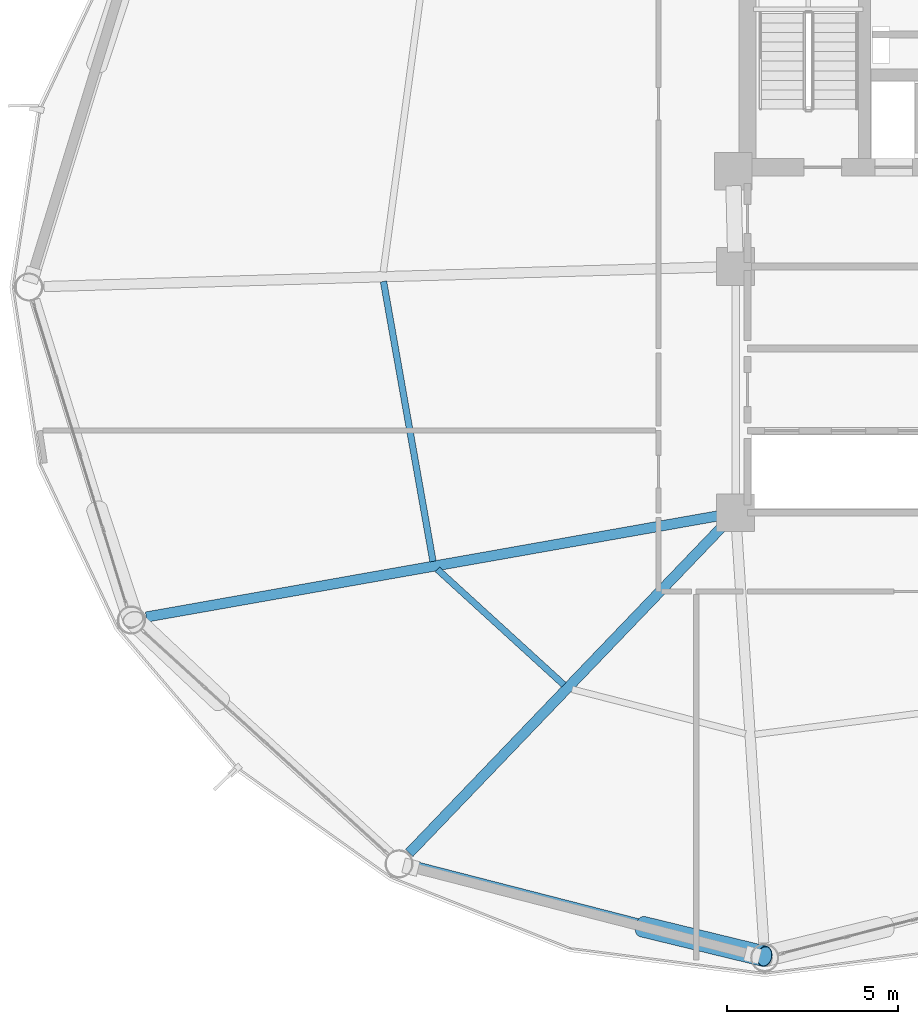
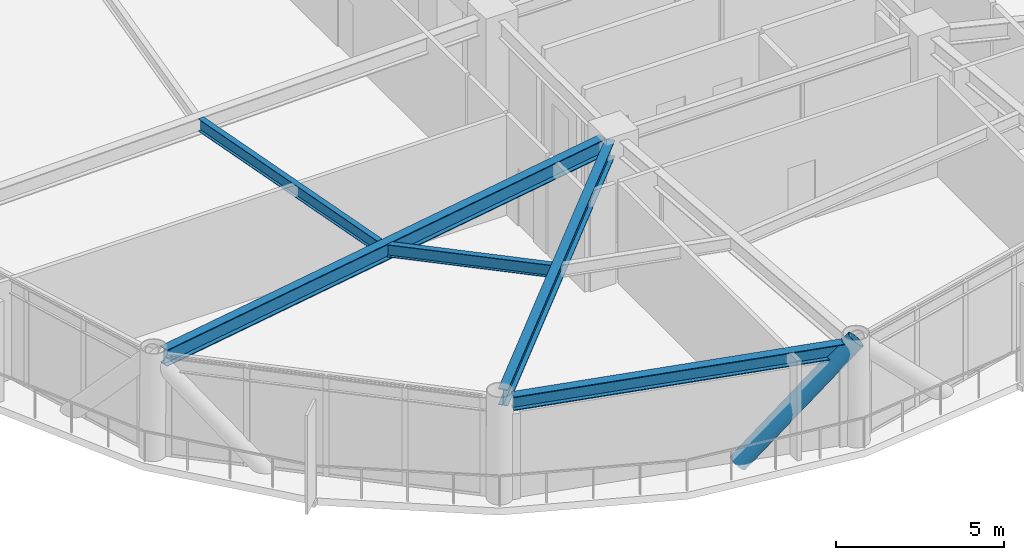
# One storey, part 4 of 23: 5 beams, 1 member.
"""IFC4 building model written with IfcOpenShell, lengths in metres."""

from ifc_helpers import new_model, si_unit, direction, frame, origin, origin_2d, place, context, subcontext, project, spatial, hollow_circle, i_section, extrude, material, material_profile, profile_set, type_object, element, save


model = new_model("IFC4")

# Units and contexts
model_context = context("Model", 3, precision=1e-05, world=origin(), true_north=direction((0.0, 1.0)))
body_context = subcontext(model_context, "Body", "Model", "MODEL_VIEW")
ifc_project = project(units=[si_unit("LENGTHUNIT", "METRE"), si_unit("AREAUNIT", "SQUARE_METRE"), si_unit("VOLUMEUNIT", "CUBIC_METRE"), si_unit("PLANEANGLEUNIT", "RADIAN"), si_unit("MASSUNIT", "GRAM", prefix="KILO")], contexts=[model_context])

# Site, building, storey
site_placement = place(None, origin())
site = spatial("IfcSite", under=ifc_project, at=site_placement, CompositionType="ELEMENT")
building_placement = place(site_placement, origin())
building = spatial("IfcBuilding", under=site, at=building_placement, Name="Varnakorn Sky Granary", CompositionType="ELEMENT")
storey_placement = place(building_placement, frame((0.0, 0.0, 107.10009765625)))
storey = spatial("IfcBuildingStorey", under=building, at=storey_placement, Name="L26", CompositionType="ELEMENT", Elevation=107.10009765625)

# Beams
ifc_material_1 = material(Name="Steel S355JR", Category="steel")
ifc_material_profile_1 = material_profile(ifc_material_1, i_section(OverallWidth=0.300048828125, OverallDepth=0.60009765625, WebThickness=0.015380859375, FlangeThickness=0.030029296875, at=origin_2d()), Name="HE 600 B")
ifc_profile_set_1 = profile_set([ifc_material_profile_1], Name="Steel S355JR")
beam_type_1 = type_object("IfcBeamType", Name="BM-RAD-Z2", PredefinedType="BEAM", material=ifc_profile_set_1)
beam_1_placement = place(storey_placement, frame((-2.763671875, -6.673095703125, 3.33984375), z_axis=(-0.984716681654, -0.174163879356, 0.0), x_axis=(0.174163879356, -0.984716681654, 0.0)))
element("IfcBeam", 1, at=beam_1_placement, inside=storey, type_object=beam_type_1, Name="Radial Floor Girder RG08 L26", PredefinedType="BEAM", context=body_context, shape_type="SweptSolid", body=[
    extrude(i_section(OverallWidth=0.300048828125, OverallDepth=0.60009765625, WebThickness=0.015380859375, FlangeThickness=0.030029296875, at=origin_2d()), origin(), (0.0, 0.0, 1.0), 17.071044921875),
])
beam_2_placement = place(storey_placement, frame((-2.640625, -6.903076171875, 3.33984375), z_axis=(-0.692184385506, -0.721720705302, 0.0), x_axis=(0.721720705302, -0.692184385506, 0.0)))
element("IfcBeam", 2, at=beam_2_placement, inside=storey, type_object=beam_type_1, Name="Radial Floor Girder RG09 L26", PredefinedType="BEAM", context=body_context, shape_type="SweptSolid", body=[
    extrude(i_section(OverallWidth=0.300048828125, OverallDepth=0.60009765625, WebThickness=0.015380859375, FlangeThickness=0.030029296875, at=origin_2d()), origin(), (0.0, 0.0, 1.0), 13.357421875),
])
ifc_material_profile_2 = material_profile(ifc_material_1, i_section(OverallWidth=0.18994140625, OverallDepth=0.449951171875, WebThickness=0.009521484375, FlangeThickness=0.0146484375, at=origin_2d()), Name="IPE 450")
ifc_profile_set_2 = profile_set([ifc_material_profile_2], Name="Steel S355JR")
beam_type_2 = type_object("IfcBeamType", Name="BM-SEC-Z2", PredefinedType="BEAM", material=ifc_profile_set_2)
beam_3_placement = place(storey_placement, frame((-12.639892578125, 0.16162109375, 3.414794921875), z_axis=(0.174095374035, -0.984728795527, 0.0), x_axis=(0.984728795527, 0.174095374035, 0.0)))
element("IfcBeam", 3, at=beam_3_placement, inside=storey, type_object=beam_type_2, Name="Secondary Floor Chord Beam MSB07 L26", PredefinedType="BEAM", context=body_context, shape_type="SweptSolid", body=[
    extrude(i_section(OverallWidth=0.18994140625, OverallDepth=0.449951171875, WebThickness=0.009521484375, FlangeThickness=0.0146484375, at=origin_2d()), origin(), (0.0, 0.0, 1.0), 8.310302734375),
])
beam_4_placement = place(storey_placement, frame((-11.065185546875, -8.254150390625, 3.414794921875), z_axis=(0.738674437319, -0.674062367776, 0.0), x_axis=(0.674062367776, 0.738674437319, 0.0)))
element("IfcBeam", 4, at=beam_4_placement, inside=storey, type_object=beam_type_2, Name="Secondary Floor Chord Beam MSB08 L26", PredefinedType="BEAM", context=body_context, shape_type="SweptSolid", body=[
    extrude(i_section(OverallWidth=0.18994140625, OverallDepth=0.449951171875, WebThickness=0.009521484375, FlangeThickness=0.0146484375, at=origin_2d()), origin(), (0.0, 0.0, 1.0), 5.006591796875),
])
ifc_material_profile_3 = material_profile(ifc_material_1, i_section(OverallWidth=0.300048828125, OverallDepth=0.5, WebThickness=0.014404296875, FlangeThickness=0.028076171875, at=origin_2d()), Name="HE 500 B")
ifc_profile_set_3 = profile_set([ifc_material_profile_3], Name="Steel S355JR")
beam_type_3 = type_object("IfcBeamType", Name="BM-SPD-Z2", PredefinedType="SPANDREL", material=ifc_profile_set_3)
beam_5_placement = place(storey_placement, frame((-11.7783203125, -16.92333984375, 3.389892578125), z_axis=(0.968546902543, -0.248831062318, 0.0), x_axis=(0.248831062318, 0.968546902543, 0.0)))
element("IfcBeam", 5, at=beam_5_placement, inside=storey, type_object=beam_type_3, Name="Perimeter Spandrel Ring Beam RB09 L26", PredefinedType="SPANDREL", context=body_context, shape_type="SweptSolid", body=[
    extrude(i_section(OverallWidth=0.300048828125, OverallDepth=0.5, WebThickness=0.014404296875, FlangeThickness=0.028076171875, at=origin_2d()), origin(), (0.0, 0.0, 1.0), 10.220703125),
])

# Member
ifc_material_2 = material(Name="Steel S460M", Category="steel")
ifc_material_profile_4 = material_profile(ifc_material_2, hollow_circle(Radius=0.304931640625, WallThickness=0.022216796875, at=origin_2d()), Name="CHS 610x22")
ifc_profile_set_4 = profile_set([ifc_material_profile_4], Name="Steel S460M")
member_type = type_object("IfcMemberType", Name="MB-DIAG-T1", PredefinedType="BRACE", material=ifc_profile_set_4)
member_placement = place(storey_placement, frame((-5.063720703125, -18.697265625, -0.130126953125), z_axis=(0.67755360428, -0.164781482167, 0.716776238768), x_axis=(0.23631251107, 0.971677105376, 0.0)))
element("IfcMember", 6, at=member_placement, inside=storey, type_object=member_type, Name="Perimeter CHS Diagrid Brace DG09 L26", PredefinedType="BRACE", context=body_context, shape_type="SweptSolid", body=[
    extrude(hollow_circle(Radius=0.304931640625, WallThickness=0.022216796875, at=origin_2d()), origin(), (0.0, 0.0, 1.0), 5.259765625),
])

save(model, "model.ifc")
